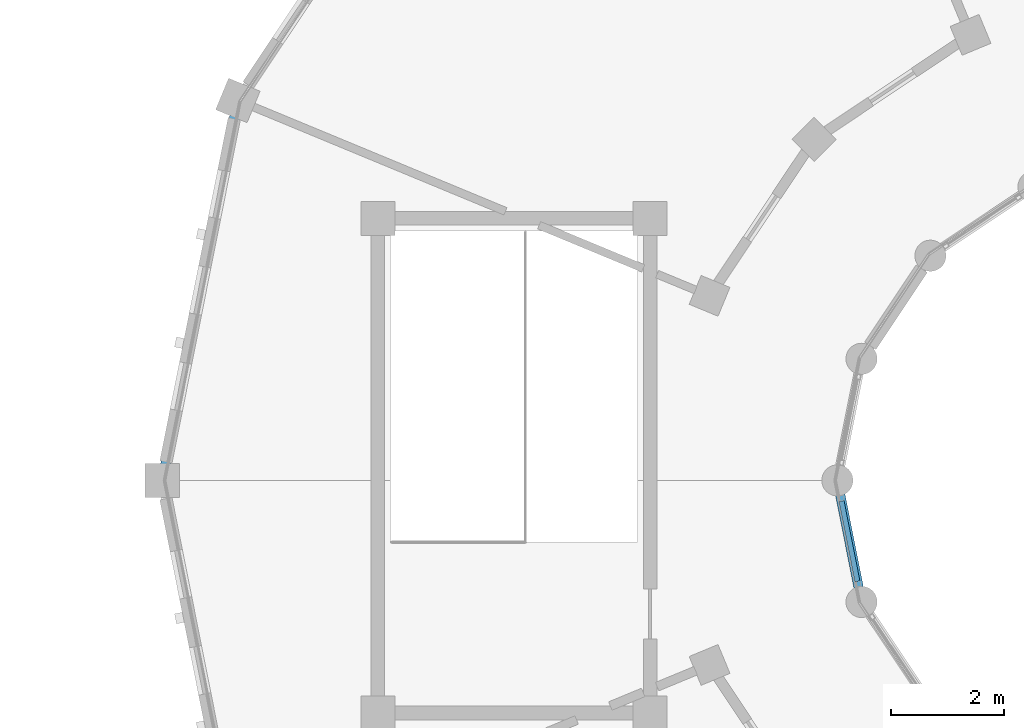
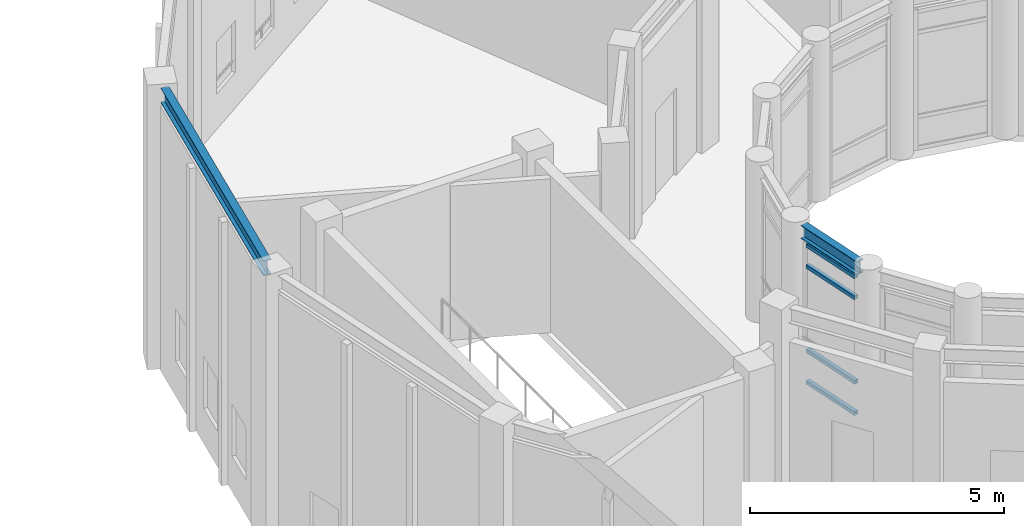
# One storey, part 12 of 149: 4 members, 2 beams, 1 element without a shape of its own.
"""IFC4 building model written with IfcOpenShell, lengths in metres."""

import ifcopenshell
import ifcopenshell.guid

model = None  # the IFC model being written
_history = None  # IfcOwnerHistory: only IFC2X3 demands one
_inside = {}  # id of a spatial element -> (the spatial element, [elements in it])
_under = {}  # id of a project, library or spatial element -> (it, [spatial elements below it])
_declared = {}  # id of a project -> (the project, [libraries it declares])
_typed = {}  # id of a type object -> (the type object, [elements of that type])
_made_of = {}  # id of a material, layer set ... -> (it, [elements and type objects made of it])


def new_model(schema):
    """Start an empty IFC model of exactly this schema.

    Asked for "IFC4X3", IfcOpenShell would pick the latest addendum, in which some entities
    have other attributes; the version numbers below select the first issue.
    IFC2X3 requires an IfcOwnerHistory on every rooted entity: one is made here for all.
    """
    global model, _history
    if schema == "IFC4X3":
        model = ifcopenshell.file(schema_version=(4, 3, 0, 0))
    else:
        model = ifcopenshell.file(schema=schema)
    _inside.clear()
    _under.clear()
    _declared.clear()
    _typed.clear()
    _made_of.clear()
    _history = None
    if model.schema == "IFC2X3":
        org = make("IfcOrganization", Name="unknown")
        user = make(
            "IfcPersonAndOrganization",
            ThePerson=make("IfcPerson", FamilyName="unknown"),
            TheOrganization=org,
        )
        app = make(
            "IfcApplication",
            ApplicationDeveloper=org,
            Version="unknown",
            ApplicationFullName="unknown",
            ApplicationIdentifier="unknown",
        )
        _history = make(
            "IfcOwnerHistory",
            OwningUser=user,
            OwningApplication=app,
            ChangeAction="ADDED",
            CreationDate=0,
        )
    return model


def make(cls, **values):
    """One entity of the class cls with the attributes given. An attribute that is None is left unset."""
    return model.create_entity(
        cls, **{name: value for name, value in values.items() if value is not None}
    )


def rooted(cls, **values):
    """An entity with a GlobalId (a new one), such as an element, a storey or a relation."""
    return make(cls, GlobalId=ifcopenshell.guid.new(), OwnerHistory=_history, **values)


def si_unit(unit_type, name, prefix=None):
    """IfcSIUnit, for example si_unit("LENGTHUNIT", "METRE", prefix="MILLI")."""
    return make("IfcSIUnit", UnitType=unit_type, Prefix=prefix, Name=name)


def assignment(units):
    """IfcUnitAssignment: the units of a project."""
    return None if units is None else make("IfcUnitAssignment", Units=units)


def point(xyz):
    """IfcCartesianPoint."""
    return None if xyz is None else make("IfcCartesianPoint", Coordinates=xyz)


def direction(xyz):
    """IfcDirection."""
    return None if xyz is None else make("IfcDirection", DirectionRatios=xyz)


def frame(location, z_axis=None, x_axis=None):
    """IfcAxis2Placement3D, a coordinate frame: its origin and axes. An axis left out is left unset."""
    return make(
        "IfcAxis2Placement3D",
        Location=point(location),
        Axis=direction(z_axis),
        RefDirection=direction(x_axis),
    )


def frame_2d(location, x_axis=None):
    """IfcAxis2Placement2D, a coordinate frame in the plane: its origin and x axis."""
    return make(
        "IfcAxis2Placement2D", Location=point(location), RefDirection=direction(x_axis)
    )


def origin():
    """The frame at (0, 0, 0) with its axes left unset."""
    return frame((0.0, 0.0, 0.0))


def origin_2d():
    """The frame at (0, 0) in the plane with its x axis left unset."""
    return frame_2d((0.0, 0.0))


def place(relative_to, where):
    """IfcLocalPlacement: puts the frame where relative to a parent placement (None: the world)."""
    return make(
        "IfcLocalPlacement", PlacementRelTo=relative_to, RelativePlacement=where
    )


def context(
    kind, dimensions, precision=None, world=None, true_north=None, identifier=None
):
    """IfcGeometricRepresentationContext, for example the 3D "Model" context."""
    return make(
        "IfcGeometricRepresentationContext",
        ContextIdentifier=identifier,
        ContextType=kind,
        CoordinateSpaceDimension=dimensions,
        Precision=precision,
        WorldCoordinateSystem=world,
        TrueNorth=true_north,
    )


def subcontext(parent, identifier, kind, view, scale=None):
    """IfcGeometricRepresentationSubContext, for example "Body" below "Model"."""
    return make(
        "IfcGeometricRepresentationSubContext",
        ContextIdentifier=identifier,
        ContextType=kind,
        ParentContext=parent,
        TargetScale=scale,
        TargetView=view,
    )


def project(units=None, contexts=None):
    """IfcProject with its units and contexts."""
    return rooted(
        "IfcProject",
        Name="project",
        RepresentationContexts=contexts,
        UnitsInContext=assignment(units),
    )


def spatial(cls, under=None, at=None, **own):
    """A site, building, storey or space (cls), placed at a placement, below another one or the project."""
    s = rooted(cls, ObjectPlacement=at, **own)
    if under is not None:
        _under.setdefault(under.id(), (under, []))[1].append(s)
    return s


def profile(cls, at=None, kind="AREA", **sizes):
    """A parametric profile (cls). Its sizes go by their IFC names, for example OverallWidth=200.0."""
    return make(cls, ProfileType=kind, Position=at, **sizes)


def hollow_rectangle(**sizes):
    """IfcRectangleHollowProfileDef."""
    return profile("IfcRectangleHollowProfileDef", **sizes)


def i_section(**sizes):
    """IfcIShapeProfileDef."""
    return profile("IfcIShapeProfileDef", **sizes)


def extrude(swept, where, along, depth):
    """IfcExtrudedAreaSolid: the profile swept, set in the frame where, extruded along a direction by depth."""
    return make(
        "IfcExtrudedAreaSolid",
        SweptArea=swept,
        Position=where,
        ExtrudedDirection=direction(along),
        Depth=depth,
    )


def shape(context_of_items, identifier, shape_type, items):
    """IfcShapeRepresentation: the items that make up one representation, for example the "Body"."""
    return make(
        "IfcShapeRepresentation",
        ContextOfItems=context_of_items,
        RepresentationIdentifier=identifier,
        RepresentationType=shape_type,
        Items=items,
    )


def material(Name=None, Category=None):
    """IfcMaterial."""
    return make("IfcMaterial", Name=Name, Category=Category)


def material_profile(
    of_material, cross_section, Name=None, Category=None, Priority=None
):
    """IfcMaterialProfile: a cross section and its material."""
    return make(
        "IfcMaterialProfile",
        Name=Name,
        Material=of_material,
        Profile=cross_section,
        Priority=Priority,
        Category=Category,
    )


def profile_set(profiles, Name=None, composite=None):
    """IfcMaterialProfileSet."""
    return make(
        "IfcMaterialProfileSet",
        Name=Name,
        MaterialProfiles=profiles,
        CompositeProfile=composite,
    )


def made_of(thing, what):
    """Note that an element or type object is made of a material, layer set ...; save() writes the relation."""
    if what is not None:
        _made_of.setdefault(what.id(), (what, []))[1].append(thing)
    return thing


def type_object(cls, material=None, **own):
    """A type object (cls), such as IfcWallType, which elements share."""
    return made_of(rooted(cls, **own), material)


def element(
    cls,
    number,
    at=None,
    inside=None,
    cuts=None,
    type_object=None,
    material=None,
    context=None,
    identifier="Body",
    shape_type=None,
    held_by="IfcProductDefinitionShape",
    body=None,
    shapes=None,
    **own,
):
    """One element of the class cls, such as IfcWall. Its Tag is "e" and its number.

    at: its placement. inside: the storey or other place that contains it. cuts: it is an
    opening in that element (IfcRelVoidsElement). A single representation is given by context,
    identifier, shape_type and body (its items); several are given by shapes. held_by: the class
    of the entity that holds the representations. save() writes the other relations.
    """
    e = rooted(cls, Tag="e%d" % number, ObjectPlacement=at, **own)
    if body is not None:
        shapes = [shape(context, identifier, shape_type, body)]
    if shapes is not None:
        e.Representation = make(held_by, Representations=shapes)
    if inside is not None:
        _inside.setdefault(inside.id(), (inside, []))[1].append(e)
    if cuts is not None:
        rooted(
            "IfcRelVoidsElement", RelatingBuildingElement=cuts, RelatedOpeningElement=e
        )
    if type_object is not None:
        _typed.setdefault(type_object.id(), (type_object, []))[1].append(e)
    return made_of(e, material)


def aggregate(whole, parts):
    """IfcRelAggregates: a whole, such as a stair, and the parts it consists of."""
    return rooted("IfcRelAggregates", RelatingObject=whole, RelatedObjects=parts)


def save(model, path):
    """Write the relations noted so far, then the file.

    IfcRelAggregates (storeys below a building ...), IfcRelContainedInSpatialStructure (elements
    in a storey), IfcRelDefinesByType, IfcRelAssociatesMaterial and IfcRelDeclares: one each for
    every whole, place, type object, material and project.
    """
    for whole, parts in _under.values():
        aggregate(whole, parts)
    for where, things in _inside.values():
        rooted(
            "IfcRelContainedInSpatialStructure",
            RelatedElements=things,
            RelatingStructure=where,
        )
    for kind, things in _typed.values():
        rooted("IfcRelDefinesByType", RelatedObjects=things, RelatingType=kind)
    for what, things in _made_of.values():
        rooted("IfcRelAssociatesMaterial", RelatedObjects=things, RelatingMaterial=what)
    for by, libraries in _declared.values():
        rooted("IfcRelDeclares", RelatingContext=by, RelatedDefinitions=libraries)
    model.write(path)


model = new_model("IFC4")

# Units and contexts
model_context = context("Model", 3, precision=1e-05, world=origin(), true_north=direction((0.0, 1.0)))
body_context = subcontext(model_context, "Body", "Model", "MODEL_VIEW")
ifc_project = project(units=[si_unit("LENGTHUNIT", "METRE"), si_unit("AREAUNIT", "SQUARE_METRE"), si_unit("VOLUMEUNIT", "CUBIC_METRE"), si_unit("PLANEANGLEUNIT", "RADIAN"), si_unit("MASSUNIT", "GRAM", prefix="KILO")], contexts=[model_context])

# Site, building, storey
site_placement = place(None, origin())
site = spatial("IfcSite", under=ifc_project, at=site_placement, CompositionType="ELEMENT")
building_placement = place(site_placement, origin())
building = spatial("IfcBuilding", under=site, at=building_placement, Name="Celadon Cloister-Ring School", CompositionType="ELEMENT")
storey_placement = place(building_placement, frame((0.0, 0.0, 12.5)))
storey = spatial("IfcBuildingStorey", under=building, at=storey_placement, Name="L03", CompositionType="ELEMENT", Elevation=12.5)

# Curtain wall, members
ifc_material_1 = material(Name="Aluminium EN AW-6063 T6", Category="aluminium")
curtain_wall_type = type_object("IfcCurtainWallType", Name="CW-06", PredefinedType="USERDEFINED", material=ifc_material_1)
curtain_wall_placement = place(storey_placement, origin())
curtain_wall = element("IfcCurtainWall", 1, at=curtain_wall_placement, inside=storey, type_object=curtain_wall_type, Name="Curtain Wall 0169", ObjectType="CURTAIN WALL", PredefinedType="USERDEFINED")
ifc_material_2 = material(Name="Aluminium EN AW-6063 T6", Category="aluminium")
ifc_material_profile_1 = material_profile(ifc_material_2, hollow_rectangle(XDim=0.090087890625, YDim=0.090087890625, WallThickness=0.00390625, at=origin_2d()), Name="RHS90X90X4")
ifc_profile_set_1 = profile_set([ifc_material_profile_1], Name="Aluminium EN AW-6063 T6")
member_type = type_object("IfcMemberType", Name="CTM-02", PredefinedType="USERDEFINED", material=ifc_profile_set_1)
member_1_placement = place(storey_placement, frame((14.672607421875, 19.63671875, 0.044921875), z_axis=(0.194587856315, -0.980885093257, 0.0), x_axis=(0.980885093257, 0.194587856315, 0.0)))
member_1 = element("IfcMember", 2, at=member_1_placement, type_object=member_type, Name="CW-06 transom 1.1", ObjectType="TRANSOM", PredefinedType="USERDEFINED", context=body_context, shape_type="SweptSolid", body=[
    extrude(hollow_rectangle(XDim=0.090087890625, YDim=0.090087890625, WallThickness=0.00390625, at=origin_2d()), origin(), (0.0, 0.0, 1.0), 1.444091796875),
])
member_2_placement = place(storey_placement, frame((14.672607421875, 19.63671875, 0.800048828125), z_axis=(0.194587856315, -0.980885093257, 0.0), x_axis=(0.980885093257, 0.194587856315, 0.0)))
member_2 = element("IfcMember", 3, at=member_2_placement, type_object=member_type, Name="CW-06 transom 1.2", ObjectType="TRANSOM", PredefinedType="USERDEFINED", context=body_context, shape_type="SweptSolid", body=[
    extrude(hollow_rectangle(XDim=0.090087890625, YDim=0.090087890625, WallThickness=0.00390625, at=origin_2d()), origin(), (0.0, 0.0, 1.0), 1.444091796875),
])
member_3_placement = place(storey_placement, frame((14.672607421875, 19.63671875, 2.824951171875), z_axis=(0.194587856315, -0.980885093257, 0.0), x_axis=(0.980885093257, 0.194587856315, 0.0)))
member_3 = element("IfcMember", 4, at=member_3_placement, type_object=member_type, Name="CW-06 transom 1.3", ObjectType="TRANSOM", PredefinedType="USERDEFINED", context=body_context, shape_type="SweptSolid", body=[
    extrude(hollow_rectangle(XDim=0.090087890625, YDim=0.090087890625, WallThickness=0.00390625, at=origin_2d()), origin(), (0.0, 0.0, 1.0), 1.444091796875),
])
member_4_placement = place(storey_placement, frame((14.672607421875, 19.63671875, 3.330078125), z_axis=(0.194587856315, -0.980885093257, 0.0), x_axis=(0.980885093257, 0.194587856315, 0.0)))
member_4 = element("IfcMember", 5, at=member_4_placement, type_object=member_type, Name="CW-06 transom 1.4", ObjectType="TRANSOM", PredefinedType="USERDEFINED", context=body_context, shape_type="SweptSolid", body=[
    extrude(hollow_rectangle(XDim=0.090087890625, YDim=0.090087890625, WallThickness=0.00390625, at=origin_2d()), origin(), (0.0, 0.0, 1.0), 1.444091796875),
])
aggregate(curtain_wall, [member_1, member_2, member_3, member_4])

# Beams
ifc_material_3 = material(Name="Structural steel S355JR", Category="steel")
ifc_material_profile_2 = material_profile(ifc_material_3, i_section(OverallWidth=0.1708984375, OverallDepth=0.35498046875, WebThickness=0.007080078125, FlangeThickness=0.01171875, at=origin_2d()), Name="W360X51")
ifc_profile_set_2 = profile_set([ifc_material_profile_2], Name="Structural steel S355JR")
beam_type_1 = type_object("IfcBeamType", Name="SP-04", PredefinedType="SPANDREL", material=ifc_profile_set_2)
beam_1_placement = place(storey_placement, frame((3.97802734375, 26.427001953125, 6.572998046875), z_axis=(-0.195001619501, -0.980802920261, 0.0), x_axis=(0.980802920261, -0.195001619501, 0.0)))
element("IfcBeam", 6, at=beam_1_placement, inside=storey, type_object=beam_type_1, Name="Beam 1090", PredefinedType="SPANDREL", context=body_context, shape_type="SweptSolid", body=[
    extrude(i_section(OverallWidth=0.1708984375, OverallDepth=0.35498046875, WebThickness=0.007080078125, FlangeThickness=0.01171875, at=origin_2d()), origin(), (0.0, 0.0, 1.0), 6.277587890625),
])
ifc_material_4 = material(Name="Structural steel S355JR", Category="steel")
ifc_material_profile_3 = material_profile(ifc_material_4, i_section(OverallWidth=0.1669921875, OverallDepth=0.31689453125, WebThickness=0.007568359375, FlangeThickness=0.01318359375, at=origin_2d()), Name="W310X52")
ifc_profile_set_3 = profile_set([ifc_material_profile_3], Name="Structural steel S355JR")
beam_type_2 = type_object("IfcBeamType", Name="SP-05", PredefinedType="SPANDREL", material=ifc_profile_set_3)
beam_2_placement = place(storey_placement, frame((14.64892578125, 19.7548828125, 3.615966796875), z_axis=(0.194722830887, -0.980858307367, 0.0), x_axis=(0.980858307367, 0.194722830887, 0.0)))
element("IfcBeam", 7, at=beam_2_placement, inside=storey, type_object=beam_type_2, Name="Beam 1093", PredefinedType="SPANDREL", context=body_context, shape_type="SweptSolid", body=[
    extrude(i_section(OverallWidth=0.1669921875, OverallDepth=0.31689453125, WebThickness=0.007568359375, FlangeThickness=0.01318359375, at=origin_2d()), origin(), (0.0, 0.0, 1.0), 1.68505859375),
])

save(model, "model.ifc")
